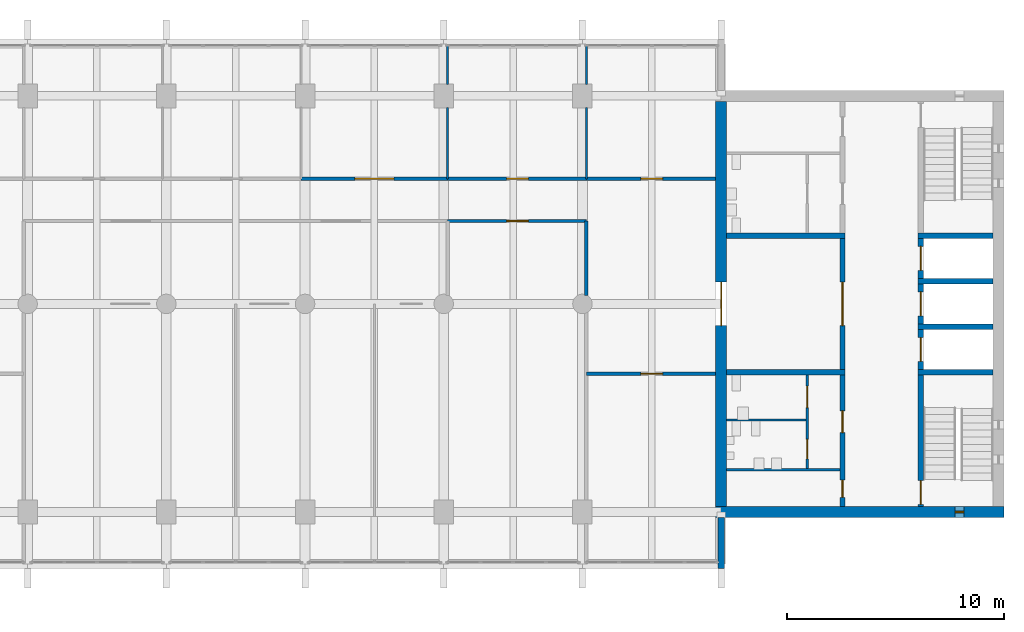
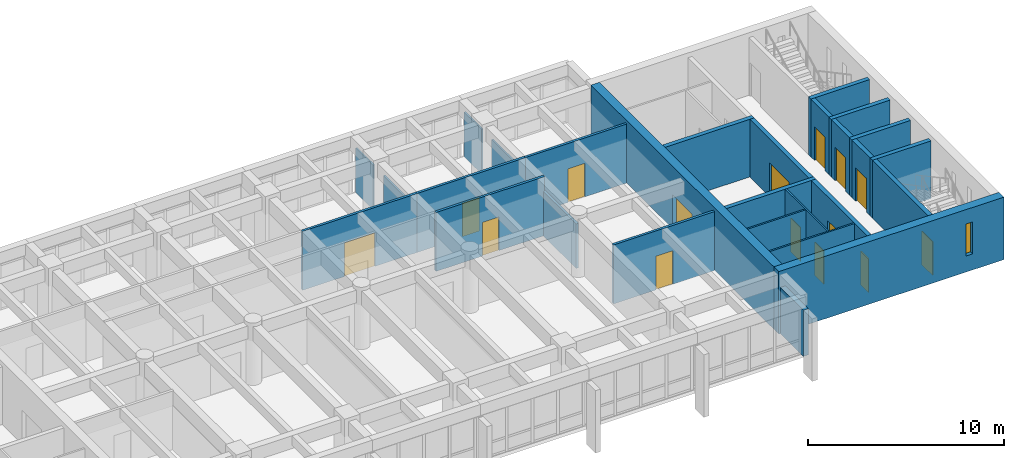
# One storey, part 11 of 15: 28 walls, 15 doors, 1 window, 16 openings.
"""IFC4 building model written with IfcOpenShell, lengths in metres."""

from ifc_helpers import new_model, si_unit, direction, frame, frame_2d, origin, place, context, subcontext, project, spatial, rectangle, extrude, material, layer, layer_set, type_object, element, fill, save


model = new_model("IFC4")

# Units and contexts
model_context = context("Model", 3, precision=1e-05, world=origin(), true_north=direction((0.0, 1.0)))
body_context = subcontext(model_context, "Body", "Model", "MODEL_VIEW")
ifc_project = project(units=[si_unit("LENGTHUNIT", "METRE"), si_unit("AREAUNIT", "SQUARE_METRE"), si_unit("VOLUMEUNIT", "CUBIC_METRE"), si_unit("PLANEANGLEUNIT", "RADIAN"), si_unit("MASSUNIT", "GRAM", prefix="KILO")], contexts=[model_context])

# Site, building, storey
site_placement = place(None, origin())
site = spatial("IfcSite", under=ifc_project, at=site_placement, CompositionType="ELEMENT")
building_placement = place(site_placement, origin())
building = spatial("IfcBuilding", under=site, at=building_placement, Name="Fogon Plaza Fire Station and Headquarters Tower", CompositionType="ELEMENT")
storey_placement = place(building_placement, frame((0.0, 0.0, 44.39990234375)))
storey = spatial("IfcBuildingStorey", under=building, at=storey_placement, Name="L11", CompositionType="ELEMENT", Elevation=44.39990234375)

# Walls
ifc_material_1 = material(Name="Concrete C40", Category="concrete")
ifc_layer_1 = layer(ifc_material_1, 0.25)
ifc_layer_set_1 = layer_set([ifc_layer_1], Name="Concrete C40")
wall_type_1 = type_object("IfcWallType", Name="Core Wall RC 250", PredefinedType="SOLIDWALL", material=ifc_layer_set_1)
for number, where, z_axis, x_axis, name in (
    (1, (76.550048828125, 40.050048828125, 0.0), (0.0, 0.0, 1.0), (-1.0, 0.0, 0.0), "Core B shaft wall"),
    (2, (76.550048828125, 42.14990234375, 0.0), (0.0, 0.0, 1.0), (-1.0, 0.0, 0.0), "Core B shaft wall"),
    (3, (76.550048828125, 44.25, 0.0), (0.0, 0.0, 1.0), (-1.0, 0.0, 0.0), "Core B shaft wall"),
    (4, (76.550048828125, 46.35009765625, 0.0), (0.0, 0.0, 1.0), (-1.0, 0.0, 0.0), "Core B shaft wall"),
):
    element("IfcWall", number, at=place(storey_placement, frame(where, z_axis=z_axis, x_axis=x_axis)), inside=storey, type_object=wall_type_1, Name=name, PredefinedType="SOLIDWALL", context=body_context, shape_type="SweptSolid", body=[
        extrude(rectangle(XDim=3.47509765625, YDim=0.25, at=frame_2d((1.737548828125, 0.0))), origin(), (0.0, 0.0, 1.0), 3.60009765625),
    ])

# Wall, opening, door
wall_1_placement = place(storey_placement, frame((73.199951171875, 33.85009765625, 0.0), z_axis=(0.0, 0.0, 1.0), x_axis=(0.0, 1.0, 0.0)))
wall_1 = element("IfcWall", 5, at=wall_1_placement, inside=storey, type_object=wall_type_1, Name="Core B shaft wall", PredefinedType="SOLIDWALL", context=body_context, shape_type="SweptSolid", body=[
    extrude(rectangle(XDim=6.074951171875, YDim=0.25, at=frame_2d((3.03759765625, 0.0))), origin(), (0.0, 0.0, 1.0), 3.60009765625),
])
opening_1_placement = place(wall_1_placement, frame((0.10009765625, 0.0, 0.0)))
opening_1 = element("IfcOpeningElement", 6, at=opening_1_placement, cuts=wall_1, Name="Opening L11-D15", PredefinedType="OPENING", context=body_context, shape_type="SweptSolid", body=[
    extrude(rectangle(XDim=1.10009765625, YDim=2.10009765625, at=frame_2d((0.550048828125, 1.050048828125))), frame((0.0, 0.135009765625, 0.0), z_axis=(0.0, -1.0, 0.0), x_axis=(1.0, 0.0, 0.0)), (0.0, 0.0, 1.0), 0.27001953125),
])
ifc_material_2 = material(Name="Steel Fire Door Leaf", Category="steel")
door_type_1 = type_object("IfcDoorType", Name="Stair Door Single 1100x2100", OperationType="SINGLE_SWING_LEFT", PredefinedType="DOOR", material=ifc_material_2)
door_1_placement = place(opening_1_placement, frame((1.10009765625, 0.0, 0.0), z_axis=(0.0, 0.0, 1.0), x_axis=(-1.0, 0.0, 0.0)))
door_1 = element("IfcDoor", 7, at=door_1_placement, inside=storey, type_object=door_type_1, Name="Stair door ST3", OperationType="SINGLE_SWING_RIGHT", OverallHeight=2.10009765625, OverallWidth=1.10009765625, PredefinedType="DOOR", context=body_context, shape_type="SweptSolid", body=[
    extrude(rectangle(XDim=1.10009765625, YDim=2.10009765625, at=frame_2d((0.550048828125, 1.050048828125))), frame((0.0, 0.02490234375, 0.0), z_axis=(0.0, -1.0, 0.0), x_axis=(1.0, 0.0, 0.0)), (0.0, 0.0, 1.0), 0.050048828125),
])
fill(opening_1, door_1)

wall_2_placement = place(storey_placement, frame((73.199951171875, 40.175048828125, 0.0), z_axis=(0.0, 0.0, 1.0), x_axis=(0.0, 1.0, 0.0)))
wall_2 = element("IfcWall", 8, at=wall_2_placement, inside=storey, type_object=wall_type_1, Name="Core B shaft wall", PredefinedType="SOLIDWALL", context=body_context, shape_type="SweptSolid", body=[
    extrude(rectangle(XDim=1.849853515625, YDim=0.25, at=frame_2d((0.9248046875, 0.0))), origin(), (0.0, 0.0, 1.0), 3.60009765625),
])
opening_2_placement = place(wall_2_placement, frame((0.375, 0.0, 0.0)))
opening_2 = element("IfcOpeningElement", 9, at=opening_2_placement, cuts=wall_2, Name="Opening L11-D17", PredefinedType="OPENING", context=body_context, shape_type="SweptSolid", body=[
    extrude(rectangle(XDim=1.10009765625, YDim=2.10009765625, at=frame_2d((0.550048828125, 1.050048828125))), frame((0.0, 0.135009765625, 0.0), z_axis=(0.0, -1.0, 0.0), x_axis=(1.0, 0.0, 0.0)), (0.0, 0.0, 1.0), 0.27001953125),
])
ifc_material_3 = material(Name="Stainless Steel", Category="steel")
door_type_2 = type_object("IfcDoorType", Name="Lift Landing Door 1100x2100", OperationType="SLIDING_TO_LEFT", PredefinedType="DOOR", material=ifc_material_3)
door_2_placement = place(opening_2_placement, origin())
door_2 = element("IfcDoor", 10, at=door_2_placement, inside=storey, type_object=door_type_2, Name="Lift LP3 landing door", OperationType="SLIDING_TO_LEFT", OverallHeight=2.10009765625, OverallWidth=1.10009765625, PredefinedType="DOOR", context=body_context, shape_type="SweptSolid", body=[
    extrude(rectangle(XDim=1.10009765625, YDim=2.10009765625, at=frame_2d((0.550048828125, 1.050048828125))), frame((0.0, 0.02490234375, 0.0), z_axis=(0.0, -1.0, 0.0), x_axis=(1.0, 0.0, 0.0)), (0.0, 0.0, 1.0), 0.050048828125),
])
fill(opening_2, door_2)

wall_3_placement = place(storey_placement, frame((73.199951171875, 42.27490234375, 0.0), z_axis=(0.0, 0.0, 1.0), x_axis=(0.0, 1.0, 0.0)))
wall_3 = element("IfcWall", 11, at=wall_3_placement, inside=storey, type_object=wall_type_1, Name="Core B shaft wall", PredefinedType="SOLIDWALL", context=body_context, shape_type="SweptSolid", body=[
    extrude(rectangle(XDim=1.85009765625, YDim=0.25, at=frame_2d((0.925048828125, 0.0))), origin(), (0.0, 0.0, 1.0), 3.60009765625),
])
opening_3_placement = place(wall_3_placement, frame((0.375, 0.0, 0.0)))
opening_3 = element("IfcOpeningElement", 12, at=opening_3_placement, cuts=wall_3, Name="Opening L11-D18", PredefinedType="OPENING", context=body_context, shape_type="SweptSolid", body=[
    extrude(rectangle(XDim=1.10009765625, YDim=2.10009765625, at=frame_2d((0.550048828125, 1.050048828125))), frame((0.0, 0.135009765625, 0.0), z_axis=(0.0, -1.0, 0.0), x_axis=(1.0, 0.0, 0.0)), (0.0, 0.0, 1.0), 0.27001953125),
])
door_3_placement = place(opening_3_placement, origin())
door_3 = element("IfcDoor", 13, at=door_3_placement, inside=storey, type_object=door_type_2, Name="Lift LP4 landing door", OperationType="SLIDING_TO_LEFT", OverallHeight=2.10009765625, OverallWidth=1.10009765625, PredefinedType="DOOR", context=body_context, shape_type="SweptSolid", body=[
    extrude(rectangle(XDim=1.10009765625, YDim=2.10009765625, at=frame_2d((0.550048828125, 1.050048828125))), frame((0.0, 0.02490234375, 0.0), z_axis=(0.0, -1.0, 0.0), x_axis=(1.0, 0.0, 0.0)), (0.0, 0.0, 1.0), 0.050048828125),
])
fill(opening_3, door_3)

wall_4_placement = place(storey_placement, frame((73.199951171875, 44.375, 0.0), z_axis=(0.0, 0.0, 1.0), x_axis=(0.0, 1.0, 0.0)))
wall_4 = element("IfcWall", 14, at=wall_4_placement, inside=storey, type_object=wall_type_1, Name="Core B shaft wall", PredefinedType="SOLIDWALL", context=body_context, shape_type="SweptSolid", body=[
    extrude(rectangle(XDim=1.85009765625, YDim=0.25, at=frame_2d((0.925048828125, 0.0))), origin(), (0.0, 0.0, 1.0), 3.60009765625),
])
opening_4_placement = place(wall_4_placement, frame((0.375, 0.0, 0.0)))
opening_4 = element("IfcOpeningElement", 15, at=opening_4_placement, cuts=wall_4, Name="Opening L11-D19", PredefinedType="OPENING", context=body_context, shape_type="SweptSolid", body=[
    extrude(rectangle(XDim=1.10009765625, YDim=2.10009765625, at=frame_2d((0.550048828125, 1.050048828125))), frame((0.0, 0.135009765625, 0.0), z_axis=(0.0, -1.0, 0.0), x_axis=(1.0, 0.0, 0.0)), (0.0, 0.0, 1.0), 0.27001953125),
])
door_4_placement = place(opening_4_placement, origin())
door_4 = element("IfcDoor", 16, at=door_4_placement, inside=storey, type_object=door_type_2, Name="Lift FL2 landing door", OperationType="SLIDING_TO_LEFT", OverallHeight=2.10009765625, OverallWidth=1.10009765625, PredefinedType="DOOR", context=body_context, shape_type="SweptSolid", body=[
    extrude(rectangle(XDim=1.10009765625, YDim=2.10009765625, at=frame_2d((0.550048828125, 1.050048828125))), frame((0.0, 0.02490234375, 0.0), z_axis=(0.0, -1.0, 0.0), x_axis=(1.0, 0.0, 0.0)), (0.0, 0.0, 1.0), 0.050048828125),
])
fill(opening_4, door_4)

# Wall, openings, doors
wall_5_placement = place(storey_placement, frame((69.60009765625, 33.85009765625, 0.0), z_axis=(0.0, 0.0, 1.0), x_axis=(0.0, 1.0, 0.0)))
wall_5 = element("IfcWall", 17, at=wall_5_placement, inside=storey, type_object=wall_type_1, Name="Core B shaft wall", PredefinedType="SOLIDWALL", context=body_context, shape_type="SweptSolid", body=[
    extrude(rectangle(XDim=6.074951171875, YDim=0.25, at=frame_2d((3.03759765625, 0.0))), origin(), (0.0, 0.0, 1.0), 3.60009765625),
])
opening_5_placement = place(wall_5_placement, frame((0.425048828125, 0.0, 0.0)))
opening_5 = element("IfcOpeningElement", 18, at=opening_5_placement, cuts=wall_5, Name="Opening L11-D22", PredefinedType="OPENING", context=body_context, shape_type="SweptSolid", body=[
    extrude(rectangle(XDim=0.800048828125, YDim=2.10009765625, at=frame_2d((0.39990234375, 1.050048828125))), frame((0.0, 0.135009765625, 0.0), z_axis=(0.0, -1.0, 0.0), x_axis=(1.0, 0.0, 0.0)), (0.0, 0.0, 1.0), 0.27001953125),
])
opening_6_placement = place(wall_5_placement, frame((3.41259765625, 0.0, 0.0)))
opening_6 = element("IfcOpeningElement", 19, at=opening_6_placement, cuts=wall_5, Name="Opening L11-D23", PredefinedType="OPENING", context=body_context, shape_type="SweptSolid", body=[
    extrude(rectangle(XDim=1.0, YDim=2.10009765625, at=frame_2d((0.5, 1.050048828125))), frame((0.0, 0.135009765625, 0.0), z_axis=(0.0, -1.0, 0.0), x_axis=(1.0, 0.0, 0.0)), (0.0, 0.0, 1.0), 0.27001953125),
])
ifc_material_4 = material(Name="Timber Door Leaf", Category="wood")
door_type_3 = type_object("IfcDoorType", Name="Cleaner Store Single 800x2100", OperationType="SINGLE_SWING_LEFT", PredefinedType="DOOR", material=ifc_material_4)
door_5_placement = place(opening_5_placement, origin())
door_5 = element("IfcDoor", 20, at=door_5_placement, inside=storey, type_object=door_type_3, Name="Cleaner's store B door", OperationType="SINGLE_SWING_RIGHT", OverallHeight=2.10009765625, OverallWidth=0.800048828125, PredefinedType="DOOR", context=body_context, shape_type="SweptSolid", body=[
    extrude(rectangle(XDim=0.800048828125, YDim=2.10009765625, at=frame_2d((0.39990234375, 1.050048828125))), frame((0.0, 0.02490234375, 0.0), z_axis=(0.0, -1.0, 0.0), x_axis=(1.0, 0.0, 0.0)), (0.0, 0.0, 1.0), 0.050048828125),
])
fill(opening_5, door_5)
ifc_material_5 = material(Name="Timber fire door", Category="wood")
door_type_4 = type_object("IfcDoorType", Name="WC Lobby Single 1000x2100", OperationType="SINGLE_SWING_LEFT", PredefinedType="DOOR", material=ifc_material_5)
door_6_placement = place(opening_6_placement, origin())
door_6 = element("IfcDoor", 21, at=door_6_placement, inside=storey, type_object=door_type_4, Name="Men's WC lobby B door", OperationType="SINGLE_SWING_LEFT", OverallHeight=2.10009765625, OverallWidth=1.0, PredefinedType="DOOR", context=body_context, shape_type="SweptSolid", body=[
    extrude(rectangle(XDim=1.0, YDim=2.10009765625, at=frame_2d((0.5, 1.050048828125))), frame((0.0, 0.02490234375, 0.0), z_axis=(0.0, -1.0, 0.0), x_axis=(1.0, 0.0, 0.0)), (0.0, 0.0, 1.0), 0.050048828125),
])
fill(opening_6, door_6)

# Wall, opening, door
wall_6_placement = place(storey_placement, frame((69.60009765625, 40.175048828125, 0.0), z_axis=(0.0, 0.0, 1.0), x_axis=(0.0, 1.0, 0.0)))
wall_6 = element("IfcWall", 22, at=wall_6_placement, inside=storey, type_object=wall_type_1, Name="Core B shaft wall", PredefinedType="SOLIDWALL", context=body_context, shape_type="SweptSolid", body=[
    extrude(rectangle(XDim=6.050048828125, YDim=0.25, at=frame_2d((3.02490234375, 0.0))), origin(), (0.0, 0.0, 1.0), 3.60009765625),
])
opening_7_placement = place(wall_6_placement, frame((2.02490234375, 0.0, 0.0)))
opening_7 = element("IfcOpeningElement", 23, at=opening_7_placement, cuts=wall_6, Name="Opening L11-D20", PredefinedType="OPENING", context=body_context, shape_type="SweptSolid", body=[
    extrude(rectangle(XDim=2.0, YDim=2.10009765625, at=frame_2d((1.0, 1.050048828125))), frame((0.0, 0.135009765625, 0.0), z_axis=(0.0, -1.0, 0.0), x_axis=(1.0, 0.0, 0.0)), (0.0, 0.0, 1.0), 0.27001953125),
])
ifc_material_6 = material(Name="Steel Fire Door Leaf", Category="steel")
door_type_5 = type_object("IfcDoorType", Name="Vestibule Double 2000x2100", OperationType="DOUBLE_DOOR_SINGLE_SWING", PredefinedType="DOOR", material=ifc_material_6)
door_7_placement = place(opening_7_placement, origin())
door_7 = element("IfcDoor", 24, at=door_7_placement, inside=storey, type_object=door_type_5, Name="Vestibule B door", OperationType="DOUBLE_DOOR_SINGLE_SWING", OverallHeight=2.10009765625, OverallWidth=2.0, PredefinedType="DOOR", context=body_context, shape_type="SweptSolid", body=[
    extrude(rectangle(XDim=2.0, YDim=2.10009765625, at=frame_2d((1.0, 1.050048828125))), frame((0.0, 0.02490234375, 0.0), z_axis=(0.0, -1.0, 0.0), x_axis=(1.0, 0.0, 0.0)), (0.0, 0.0, 1.0), 0.050048828125),
])
fill(opening_7, door_7)

# Walls
for number, where, z_axis, x_axis, name in (
    (25, (69.72509765625, 40.050048828125, 0.0), (0.0, 0.0, 1.0), (-1.0, 0.0, 0.0), "Core B shaft wall"),
    (26, (69.72509765625, 46.35009765625, 0.0), (0.0, 0.0, 1.0), (-1.0, 0.0, 0.0), "Core B shaft wall"),
):
    element("IfcWall", number, at=place(storey_placement, frame(where, z_axis=z_axis, x_axis=x_axis)), inside=storey, type_object=wall_type_1, Name=name, PredefinedType="SOLIDWALL", context=body_context, shape_type="SweptSolid", body=[
        extrude(rectangle(XDim=5.47509765625, YDim=0.25, at=frame_2d((2.737548828125, 0.0))), origin(), (0.0, 0.0, 1.0), 3.60009765625),
    ])
ifc_material_7 = material(Name="Concrete C40", Category="concrete")
ifc_layer_2 = layer(ifc_material_7, 0.300048828125)
ifc_layer_set_2 = layer_set([ifc_layer_2], Name="Concrete C40")
wall_type_2 = type_object("IfcWallType", Name="Fair-faced RC Return Panel 300", PredefinedType="SOLIDWALL", material=ifc_layer_set_2)
wall_7_placement = place(storey_placement, frame((64.0, 31.0, 0.0), z_axis=(0.0, 0.0, 1.0), x_axis=(0.0, 1.0, 0.0)))
element("IfcWall", 27, at=wall_7_placement, inside=storey, type_object=wall_type_2, Name="Bar end return ES L11", PredefinedType="SOLIDWALL", context=body_context, shape_type="SweptSolid", body=[
    extrude(rectangle(XDim=2.35009765625, YDim=0.300048828125, at=frame_2d((1.175048828125, 0.0))), origin(), (0.0, 0.0, 1.0), 2.880126953125),
])
ifc_material_8 = material(Name="Blockwork", Category="masonry")
ifc_layer_3 = layer(ifc_material_8, 0.10009765625)
ifc_layer_set_3 = layer_set([ifc_layer_3], Name="Blockwork")
wall_type_3 = type_object("IfcWallType", Name="Partition Blockwork 100", PredefinedType="PARTITIONING", material=ifc_layer_set_3)
wall_8_placement = place(storey_placement, frame((69.47509765625, 35.550048828125, 0.0), z_axis=(0.0, 0.0, 1.0), x_axis=(-1.0, 0.0, 0.0)))
element("IfcWall", 28, at=wall_8_placement, inside=storey, type_object=wall_type_3, Name="Cleaner's store partition", PredefinedType="PARTITIONING", context=body_context, shape_type="SweptSolid", body=[
    extrude(rectangle(XDim=5.22509765625, YDim=0.10009765625, at=frame_2d((2.612548828125, 0.0))), origin(), (0.0, 0.0, 1.0), 3.60009765625),
])

# Wall, openings, doors
wall_9_placement = place(storey_placement, frame((67.97509765625, 35.60009765625, 0.0), z_axis=(0.0, 0.0, 1.0), x_axis=(0.0, 1.0, 0.0)))
wall_9 = element("IfcWall", 29, at=wall_9_placement, inside=storey, type_object=wall_type_3, Name="WC block partition", PredefinedType="PARTITIONING", context=body_context, shape_type="SweptSolid", body=[
    extrude(rectangle(XDim=4.324951171875, YDim=0.10009765625, at=frame_2d((2.16259765625, 0.0))), origin(), (0.0, 0.0, 1.0), 3.60009765625),
])
opening_8_placement = place(wall_9_placement, frame((0.449951171875, 0.0, 0.0)))
opening_8 = element("IfcOpeningElement", 30, at=opening_8_placement, cuts=wall_9, Name="Opening L11-D24", PredefinedType="OPENING", context=body_context, shape_type="SweptSolid", body=[
    extrude(rectangle(XDim=0.89990234375, YDim=2.10009765625, at=frame_2d((0.449951171875, 1.050048828125))), frame((0.0, 0.06005859375, 0.0), z_axis=(0.0, -1.0, 0.0), x_axis=(1.0, 0.0, 0.0)), (0.0, 0.0, 1.0), 0.1201171875),
])
opening_9_placement = place(wall_9_placement, frame((2.8125, 0.0, 0.0)))
opening_9 = element("IfcOpeningElement", 31, at=opening_9_placement, cuts=wall_9, Name="Opening L11-D25", PredefinedType="OPENING", context=body_context, shape_type="SweptSolid", body=[
    extrude(rectangle(XDim=1.0, YDim=2.10009765625, at=frame_2d((0.5, 1.050048828125))), frame((0.0, 0.06005859375, 0.0), z_axis=(0.0, -1.0, 0.0), x_axis=(1.0, 0.0, 0.0)), (0.0, 0.0, 1.0), 0.1201171875),
])
ifc_material_9 = material(Name="Timber Door Leaf", Category="wood")
door_type_6 = type_object("IfcDoorType", Name="Accessible WC Single 1000x2100", OperationType="SINGLE_SWING_LEFT", PredefinedType="DOOR", material=ifc_material_9)
door_8_placement = place(opening_9_placement, origin())
door_8 = element("IfcDoor", 32, at=door_8_placement, inside=storey, type_object=door_type_6, Name="Accessible WC B door", OperationType="SINGLE_SWING_LEFT", OverallHeight=2.10009765625, OverallWidth=1.0, PredefinedType="DOOR", context=body_context, shape_type="SweptSolid", body=[
    extrude(rectangle(XDim=1.0, YDim=2.10009765625, at=frame_2d((0.5, 1.050048828125))), frame((0.0, 0.02490234375, 0.0), z_axis=(0.0, -1.0, 0.0), x_axis=(1.0, 0.0, 0.0)), (0.0, 0.0, 1.0), 0.050048828125),
])
fill(opening_9, door_8)
ifc_material_10 = material(Name="Timber Door Leaf", Category="wood")
door_type_7 = type_object("IfcDoorType", Name="WC Single 900x2100", OperationType="SINGLE_SWING_LEFT", PredefinedType="DOOR", material=ifc_material_10)
door_9_placement = place(opening_8_placement, origin())
door_9 = element("IfcDoor", 33, at=door_9_placement, inside=storey, type_object=door_type_7, Name="Men's WC B door", OperationType="SINGLE_SWING_LEFT", OverallHeight=2.10009765625, OverallWidth=0.89990234375, PredefinedType="DOOR", context=body_context, shape_type="SweptSolid", body=[
    extrude(rectangle(XDim=0.89990234375, YDim=2.10009765625, at=frame_2d((0.449951171875, 1.050048828125))), frame((0.0, 0.02490234375, 0.0), z_axis=(0.0, -1.0, 0.0), x_axis=(1.0, 0.0, 0.0)), (0.0, 0.0, 1.0), 0.050048828125),
])
fill(opening_8, door_9)

# Wall
wall_10_placement = place(storey_placement, frame((67.925048828125, 37.85009765625, 0.0), z_axis=(0.0, 0.0, 1.0), x_axis=(-1.0, 0.0, 0.0)))
element("IfcWall", 34, at=wall_10_placement, inside=storey, type_object=wall_type_3, Name="WC block partition", PredefinedType="PARTITIONING", context=body_context, shape_type="SweptSolid", body=[
    extrude(rectangle(XDim=3.675048828125, YDim=0.10009765625, at=frame_2d((1.83740234375, 0.0))), origin(), (0.0, 0.0, 1.0), 3.60009765625),
])

# Wall, opening, window
ifc_material_11 = material(Name="Concrete C40", Category="concrete")
ifc_layer_4 = layer(ifc_material_11, 0.5)
ifc_layer_set_4 = layer_set([ifc_layer_4], Name="Concrete C40")
wall_type_4 = type_object("IfcWallType", Name="Shear wall 500 SW50", PredefinedType="SHEAR", material=ifc_layer_set_4)
wall_11_placement = place(storey_placement, frame((63.75, 33.60009765625, 0.0), z_axis=(0.0, 0.0, 1.0), x_axis=(1.0, 0.0, 0.0)))
wall_11 = element("IfcWall", 35, at=wall_11_placement, inside=storey, type_object=wall_type_4, Name="wall-coreB-S-L11", PredefinedType="SHEAR", context=body_context, shape_type="SweptSolid", body=[
    extrude(rectangle(XDim=13.300048828125, YDim=0.5, at=frame_2d((6.64990234375, 0.0))), origin(), (0.0, 0.0, 1.0), 3.900146484375),
])
opening_10_placement = place(wall_11_placement, frame((11.050048828125, 0.0, 1.0)))
opening_10 = element("IfcOpeningElement", 36, at=opening_10_placement, cuts=wall_11, Name="Opening WS1", PredefinedType="OPENING", context=body_context, shape_type="SweptSolid", body=[
    extrude(rectangle(XDim=0.39990234375, YDim=2.0, at=frame_2d((0.199951171875, 1.0))), frame((0.0, 0.260009765625, 0.0), z_axis=(0.0, -1.0, 0.0), x_axis=(1.0, 0.0, 0.0)), (0.0, 0.0, 1.0), 0.52001953125),
])
ifc_material_12 = material(Name="Aluminium framed double glazing", Category="aluminium")
window_type = type_object("IfcWindowType", Name="Slit Window WS1 400x2000", PartitioningType="SINGLE_PANEL", PredefinedType="WINDOW", material=ifc_material_12)
window_placement = place(opening_10_placement, origin())
window = element("IfcWindow", 37, at=window_placement, inside=storey, type_object=window_type, Name="Slit window B5 L11", OverallHeight=2.0, OverallWidth=0.39990234375, PartitioningType="SINGLE_PANEL", PredefinedType="WINDOW", context=body_context, shape_type="SweptSolid", body=[
    extrude(rectangle(XDim=0.39990234375, YDim=2.0, at=frame_2d((0.199951171875, 1.0))), frame((0.0, 0.030029296875, 0.0), z_axis=(0.0, -1.0, 0.0), x_axis=(1.0, 0.0, 0.0)), (0.0, 0.0, 1.0), 0.06005859375),
])
fill(opening_10, window)

# Wall, opening, door
wall_12_placement = place(storey_placement, frame((64.0, 33.85009765625, 0.0), z_axis=(0.0, 0.0, 1.0), x_axis=(0.0, 1.0, 0.0)))
wall_12 = element("IfcWall", 38, at=wall_12_placement, inside=storey, type_object=wall_type_4, Name="wall-coreB-W-L11", PredefinedType="SHEAR", context=body_context, shape_type="SweptSolid", body=[
    extrude(rectangle(XDim=18.699951171875, YDim=0.5, at=frame_2d((9.35009765625, 0.0))), origin(), (0.0, 0.0, 1.0), 3.900146484375),
])
opening_11_placement = place(wall_12_placement, frame((8.35009765625, 0.0, 0.0)))
opening_11 = element("IfcOpeningElement", 39, at=opening_11_placement, cuts=wall_12, Name="Opening L11-D21", PredefinedType="OPENING", context=body_context, shape_type="SweptSolid", body=[
    extrude(rectangle(XDim=2.0, YDim=2.10009765625, at=frame_2d((1.0, 1.050048828125))), frame((0.0, 0.260009765625, 0.0), z_axis=(0.0, -1.0, 0.0), x_axis=(1.0, 0.0, 0.0)), (0.0, 0.0, 1.0), 0.52001953125),
])
door_10_placement = place(opening_11_placement, frame((2.0, 0.0, 0.0), z_axis=(0.0, 0.0, 1.0), x_axis=(-1.0, 0.0, 0.0)))
door_10 = element("IfcDoor", 40, at=door_10_placement, inside=storey, type_object=door_type_5, Name="Vestibule B door to the office zone", OperationType="DOUBLE_DOOR_SINGLE_SWING", OverallHeight=2.10009765625, OverallWidth=2.0, PredefinedType="DOOR", context=body_context, shape_type="SweptSolid", body=[
    extrude(rectangle(XDim=2.0, YDim=2.10009765625, at=frame_2d((1.0, 1.050048828125))), frame((0.0, 0.02490234375, 0.0), z_axis=(0.0, -1.0, 0.0), x_axis=(1.0, 0.0, 0.0)), (0.0, 0.0, 1.0), 0.050048828125),
])
fill(opening_11, door_10)

ifc_material_13 = material(Name="Gypsum board on steel stud", Category="steel")
ifc_layer_5 = layer(ifc_material_13, 0.14990234375)
ifc_layer_set_5 = layer_set([ifc_layer_5], Name="Gypsum board on steel stud")
wall_type_5 = type_object("IfcWallType", Name="Tower corridor partition 150 EI 60", PredefinedType="PARTITIONING", material=ifc_layer_set_5)
wall_13_placement = place(storey_placement, frame((51.3798828125, 47.02490234375, 0.0), z_axis=(0.0, 0.0, 1.0), x_axis=(1.0, 0.0, 0.0)))
wall_13 = element("IfcWall", 41, at=wall_13_placement, inside=storey, type_object=wall_type_5, Name="part-L11-04", PredefinedType="PARTITIONING", context=body_context, shape_type="SweptSolid", body=[
    extrude(rectangle(XDim=6.400146484375, YDim=0.14990234375, at=frame_2d((3.2001953125, 0.0))), origin(), (0.0, 0.0, 1.0), 3.68017578125),
])
opening_12_placement = place(wall_13_placement, frame((2.719970703125, 0.0, 0.0)))
opening_12 = element("IfcOpeningElement", 42, at=opening_12_placement, cuts=wall_13, Name="Opening L11-D31", PredefinedType="OPENING", context=body_context, shape_type="SweptSolid", body=[
    extrude(rectangle(XDim=1.0, YDim=2.10009765625, at=frame_2d((0.5, 1.050048828125))), frame((0.0, 0.0849609375, 0.0), z_axis=(0.0, -1.0, 0.0), x_axis=(1.0, 0.0, 0.0)), (0.0, 0.0, 1.0), 0.169921875),
])
ifc_material_14 = material(Name="Fire rated glazed door")
door_type_8 = type_object("IfcDoorType", Name="Tower glazed fire door single 1000 EI 20", OperationType="SINGLE_SWING_LEFT", PredefinedType="DOOR", material=ifc_material_14)
door_11_placement = place(opening_12_placement, frame((1.0, 0.0, 0.0), z_axis=(0.0, 0.0, 1.0), x_axis=(-1.0, 0.0, 0.0)))
door_11 = element("IfcDoor", 43, at=door_11_placement, inside=storey, type_object=door_type_8, Name="door-L11-03", OperationType="SINGLE_SWING_RIGHT", OverallHeight=2.10009765625, OverallWidth=1.0, PredefinedType="DOOR", context=body_context, shape_type="SweptSolid", body=[
    extrude(rectangle(XDim=1.0, YDim=2.10009765625, at=frame_2d((0.5, 1.050048828125))), frame((0.0, 0.02490234375, 0.0), z_axis=(0.0, -1.0, 0.0), x_axis=(1.0, 0.0, 0.0)), (0.0, 0.0, 1.0), 0.050048828125),
])
fill(opening_12, door_11)

wall_14_placement = place(storey_placement, frame((44.6201171875, 48.97509765625, 0.0), z_axis=(0.0, 0.0, 1.0), x_axis=(1.0, 0.0, 0.0)))
wall_14 = element("IfcWall", 44, at=wall_14_placement, inside=storey, type_object=wall_type_5, Name="part-L11-09", PredefinedType="PARTITIONING", context=body_context, shape_type="SweptSolid", body=[
    extrude(rectangle(XDim=6.759765625, YDim=0.14990234375, at=frame_2d((3.3798828125, 0.0))), origin(), (0.0, 0.0, 1.0), 3.68017578125),
])
opening_13_placement = place(wall_14_placement, frame((2.47998046875, 0.0, 0.0)))
opening_13 = element("IfcOpeningElement", 45, at=opening_13_placement, cuts=wall_14, Name="Opening L11-D35", PredefinedType="OPENING", context=body_context, shape_type="SweptSolid", body=[
    extrude(rectangle(XDim=1.800048828125, YDim=2.10009765625, at=frame_2d((0.89990234375, 1.050048828125))), frame((0.0, 0.0849609375, 0.0), z_axis=(0.0, -1.0, 0.0), x_axis=(1.0, 0.0, 0.0)), (0.0, 0.0, 1.0), 0.169921875),
])
ifc_material_15 = material(Name="Timber fire door", Category="wood")
door_type_9 = type_object("IfcDoorType", Name="Tower fire door double 1800 EI 20", OperationType="DOUBLE_DOOR_SINGLE_SWING", PredefinedType="DOOR", material=ifc_material_15)
door_12_placement = place(opening_13_placement, origin())
door_12 = element("IfcDoor", 46, at=door_12_placement, inside=storey, type_object=door_type_9, Name="door-L11-07", OperationType="DOUBLE_DOOR_SINGLE_SWING", OverallHeight=2.10009765625, OverallWidth=1.800048828125, PredefinedType="DOOR", context=body_context, shape_type="SweptSolid", body=[
    extrude(rectangle(XDim=1.800048828125, YDim=2.10009765625, at=frame_2d((0.89990234375, 1.050048828125))), frame((0.0, 0.02490234375, 0.0), z_axis=(0.0, -1.0, 0.0), x_axis=(1.0, 0.0, 0.0)), (0.0, 0.0, 1.0), 0.050048828125),
])
fill(opening_13, door_12)

wall_15_placement = place(storey_placement, frame((51.3798828125, 48.97509765625, 0.0), z_axis=(0.0, 0.0, 1.0), x_axis=(1.0, 0.0, 0.0)))
wall_15 = element("IfcWall", 47, at=wall_15_placement, inside=storey, type_object=wall_type_5, Name="part-L11-10", PredefinedType="PARTITIONING", context=body_context, shape_type="SweptSolid", body=[
    extrude(rectangle(XDim=6.400146484375, YDim=0.14990234375, at=frame_2d((3.2001953125, 0.0))), origin(), (0.0, 0.0, 1.0), 3.68017578125),
])
opening_14_placement = place(wall_15_placement, frame((2.719970703125, 0.0, 0.0)))
opening_14 = element("IfcOpeningElement", 48, at=opening_14_placement, cuts=wall_15, Name="Opening L11-D36", PredefinedType="OPENING", context=body_context, shape_type="SweptSolid", body=[
    extrude(rectangle(XDim=1.0, YDim=2.10009765625, at=frame_2d((0.5, 1.050048828125))), frame((0.0, 0.0849609375, 0.0), z_axis=(0.0, -1.0, 0.0), x_axis=(1.0, 0.0, 0.0)), (0.0, 0.0, 1.0), 0.169921875),
])
ifc_material_16 = material(Name="Timber fire door", Category="wood")
door_type_10 = type_object("IfcDoorType", Name="Tower fire door single 1000 EI 20", OperationType="SINGLE_SWING_LEFT", PredefinedType="DOOR", material=ifc_material_16)
door_13_placement = place(opening_14_placement, origin())
door_13 = element("IfcDoor", 49, at=door_13_placement, inside=storey, type_object=door_type_10, Name="door-L11-08", OperationType="SINGLE_SWING_LEFT", OverallHeight=2.10009765625, OverallWidth=1.0, PredefinedType="DOOR", context=body_context, shape_type="SweptSolid", body=[
    extrude(rectangle(XDim=1.0, YDim=2.10009765625, at=frame_2d((0.5, 1.050048828125))), frame((0.0, 0.02490234375, 0.0), z_axis=(0.0, -1.0, 0.0), x_axis=(1.0, 0.0, 0.0)), (0.0, 0.0, 1.0), 0.050048828125),
])
fill(opening_14, door_13)

wall_16_placement = place(storey_placement, frame((57.780029296875, 48.97509765625, 0.0), z_axis=(0.0, 0.0, 1.0), x_axis=(1.0, 0.0, 0.0)))
wall_16 = element("IfcWall", 50, at=wall_16_placement, inside=storey, type_object=wall_type_5, Name="part-L11-11", PredefinedType="PARTITIONING", context=body_context, shape_type="SweptSolid", body=[
    extrude(rectangle(XDim=5.969970703125, YDim=0.14990234375, at=frame_2d((2.98486328125, 0.0))), origin(), (0.0, 0.0, 1.0), 3.68017578125),
])
opening_15_placement = place(wall_16_placement, frame((2.52001953125, 0.0, 0.0)))
opening_15 = element("IfcOpeningElement", 51, at=opening_15_placement, cuts=wall_16, Name="Opening L11-D37", PredefinedType="OPENING", context=body_context, shape_type="SweptSolid", body=[
    extrude(rectangle(XDim=1.0, YDim=2.10009765625, at=frame_2d((0.5, 1.050048828125))), frame((0.0, 0.0849609375, 0.0), z_axis=(0.0, -1.0, 0.0), x_axis=(1.0, 0.0, 0.0)), (0.0, 0.0, 1.0), 0.169921875),
])
door_14_placement = place(opening_15_placement, origin())
door_14 = element("IfcDoor", 52, at=door_14_placement, inside=storey, type_object=door_type_10, Name="door-L11-09", OperationType="SINGLE_SWING_RIGHT", OverallHeight=2.10009765625, OverallWidth=1.0, PredefinedType="DOOR", context=body_context, shape_type="SweptSolid", body=[
    extrude(rectangle(XDim=1.0, YDim=2.10009765625, at=frame_2d((0.5, 1.050048828125))), frame((0.0, 0.02490234375, 0.0), z_axis=(0.0, -1.0, 0.0), x_axis=(1.0, 0.0, 0.0)), (0.0, 0.0, 1.0), 0.050048828125),
])
fill(opening_15, door_14)

wall_17_placement = place(storey_placement, frame((57.780029296875, 39.97509765625, 0.0), z_axis=(0.0, 0.0, 1.0), x_axis=(1.0, 0.0, 0.0)))
wall_17 = element("IfcWall", 53, at=wall_17_placement, inside=storey, type_object=wall_type_5, Name="part-L11-27", PredefinedType="PARTITIONING", context=body_context, shape_type="SweptSolid", body=[
    extrude(rectangle(XDim=5.969970703125, YDim=0.14990234375, at=frame_2d((2.98486328125, 0.0))), origin(), (0.0, 0.0, 1.0), 3.68017578125),
])
opening_16_placement = place(wall_17_placement, frame((2.52001953125, 0.0, 0.0)))
opening_16 = element("IfcOpeningElement", 54, at=opening_16_placement, cuts=wall_17, Name="Opening L11-D39", PredefinedType="OPENING", context=body_context, shape_type="SweptSolid", body=[
    extrude(rectangle(XDim=1.0, YDim=2.10009765625, at=frame_2d((0.5, 1.050048828125))), frame((0.0, 0.0849609375, 0.0), z_axis=(0.0, -1.0, 0.0), x_axis=(1.0, 0.0, 0.0)), (0.0, 0.0, 1.0), 0.169921875),
])
door_15_placement = place(opening_16_placement, frame((1.0, 0.0, 0.0), z_axis=(0.0, 0.0, 1.0), x_axis=(-1.0, 0.0, 0.0)))
door_15 = element("IfcDoor", 55, at=door_15_placement, inside=storey, type_object=door_type_10, Name="door-L11-11", OperationType="SINGLE_SWING_LEFT", OverallHeight=2.10009765625, OverallWidth=1.0, PredefinedType="DOOR", context=body_context, shape_type="SweptSolid", body=[
    extrude(rectangle(XDim=1.0, YDim=2.10009765625, at=frame_2d((0.5, 1.050048828125))), frame((0.0, 0.02490234375, 0.0), z_axis=(0.0, -1.0, 0.0), x_axis=(1.0, 0.0, 0.0)), (0.0, 0.0, 1.0), 0.050048828125),
])
fill(opening_16, door_15)

# Walls
ifc_material_17 = material(Name="Gypsum board on steel stud", Category="steel")
ifc_layer_6 = layer(ifc_material_17, 0.14990234375)
ifc_layer_set_6 = layer_set([ifc_layer_6], Name="Gypsum board on steel stud")
wall_type_6 = type_object("IfcWallType", Name="Tower corridor partition 150 EI 60 Beam Head 900", PredefinedType="PARTITIONING", material=ifc_layer_set_6)
wall_18_placement = place(storey_placement, frame((57.780029296875, 43.59228515625, 0.0), z_axis=(0.0, 0.0, 1.0), x_axis=(0.0, 1.0, 0.0)))
element("IfcWall", 56, at=wall_18_placement, inside=storey, type_object=wall_type_6, Name="part-L11-30", PredefinedType="PARTITIONING", context=body_context, shape_type="SweptSolid", body=[
    extrude(rectangle(XDim=3.4326171875, YDim=0.14990234375, at=frame_2d((1.71630859375, 0.0))), origin(), (0.0, 0.0, 1.0), 2.780029296875),
])
ifc_material_18 = material(Name="Gypsum board on steel stud", Category="steel")
ifc_layer_7 = layer(ifc_material_18, 0.10009765625)
ifc_layer_set_7 = layer_set([ifc_layer_7], Name="Gypsum board on steel stud")
wall_type_7 = type_object("IfcWallType", Name="Tower office partition 100 Beam Head 900", PredefinedType="PARTITIONING", material=ifc_layer_set_7)
wall_19_placement = place(storey_placement, frame((51.3798828125, 48.97509765625, 0.0), z_axis=(0.0, 0.0, 1.0), x_axis=(0.0, 1.0, 0.0)))
element("IfcWall", 57, at=wall_19_placement, inside=storey, type_object=wall_type_7, Name="part-L11-18", PredefinedType="PARTITIONING", context=body_context, shape_type="SweptSolid", body=[
    extrude(rectangle(XDim=3.294921875, YDim=0.10009765625, at=frame_2d((1.6474609375, 0.0))), origin(), (0.0, 0.0, 1.0), 2.780029296875),
])
wall_20_placement = place(storey_placement, frame((51.3798828125, 53.330078125, 0.0), z_axis=(0.0, 0.0, 1.0), x_axis=(0.0, 1.0, 0.0)))
element("IfcWall", 58, at=wall_20_placement, inside=storey, type_object=wall_type_7, Name="part-L11-19", PredefinedType="PARTITIONING", context=body_context, shape_type="SweptSolid", body=[
    extrude(rectangle(XDim=1.77001953125, YDim=0.10009765625, at=frame_2d((0.885009765625, 0.0))), origin(), (0.0, 0.0, 1.0), 2.780029296875),
])
wall_21_placement = place(storey_placement, frame((57.780029296875, 48.97509765625, 0.0), z_axis=(0.0, 0.0, 1.0), x_axis=(0.0, 1.0, 0.0)))
element("IfcWall", 59, at=wall_21_placement, inside=storey, type_object=wall_type_7, Name="part-L11-20", PredefinedType="PARTITIONING", context=body_context, shape_type="SweptSolid", body=[
    extrude(rectangle(XDim=3.294921875, YDim=0.10009765625, at=frame_2d((1.6474609375, 0.0))), origin(), (0.0, 0.0, 1.0), 2.780029296875),
])
wall_22_placement = place(storey_placement, frame((57.780029296875, 53.330078125, 0.0), z_axis=(0.0, 0.0, 1.0), x_axis=(0.0, 1.0, 0.0)))
element("IfcWall", 60, at=wall_22_placement, inside=storey, type_object=wall_type_7, Name="part-L11-21", PredefinedType="PARTITIONING", context=body_context, shape_type="SweptSolid", body=[
    extrude(rectangle(XDim=1.77001953125, YDim=0.10009765625, at=frame_2d((0.885009765625, 0.0))), origin(), (0.0, 0.0, 1.0), 2.780029296875),
])

save(model, "model.ifc")
